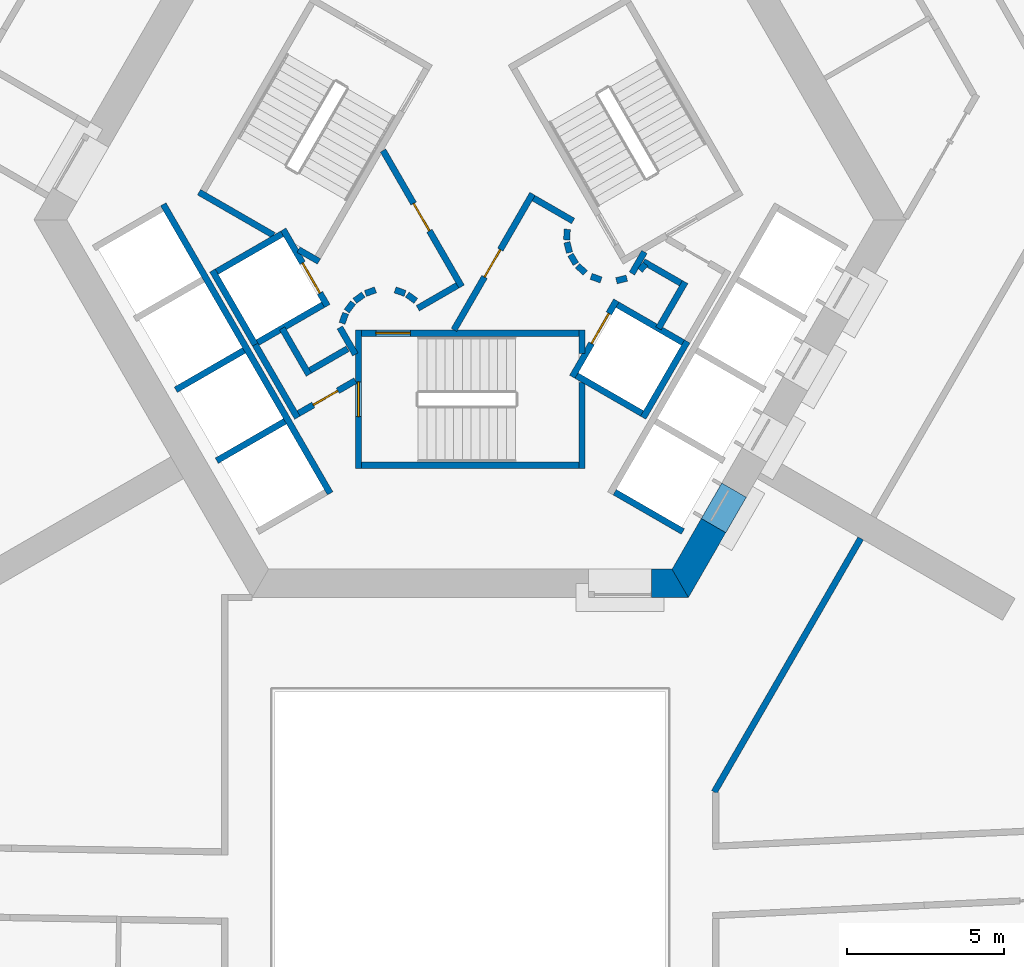
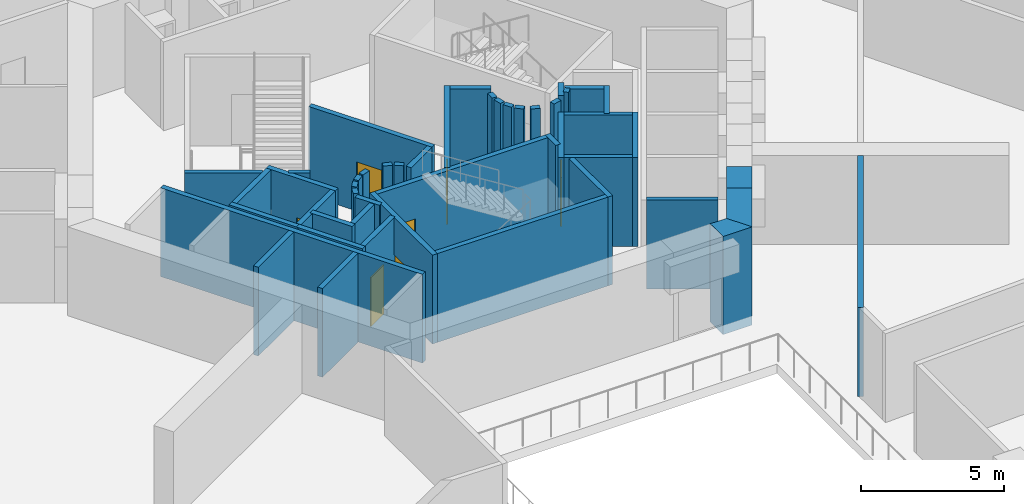
# One storey, part 6 of 15: 48 walls, 7 doors, 7 openings.
"""IFC4 building model written with IfcOpenShell, lengths in metres."""

from ifc_helpers import new_model, si_unit, direction, frame, frame_2d, origin, place, context, subcontext, project, spatial, polyline, rectangle, outline, extrude, material, layer, layer_set, type_object, element, fill, save


model = new_model("IFC4")

# Units and contexts
model_context = context("Model", 3, precision=1e-05, world=origin(), true_north=direction((0.0, 1.0)))
body_context = subcontext(model_context, "Body", "Model", "MODEL_VIEW")
ifc_project = project(units=[si_unit("LENGTHUNIT", "METRE"), si_unit("AREAUNIT", "SQUARE_METRE"), si_unit("VOLUMEUNIT", "CUBIC_METRE"), si_unit("PLANEANGLEUNIT", "RADIAN"), si_unit("MASSUNIT", "GRAM", prefix="KILO")], contexts=[model_context])

# Site, building, storey
site_placement = place(None, origin())
site = spatial("IfcSite", under=ifc_project, at=site_placement, CompositionType="ELEMENT")
building_placement = place(site_placement, origin())
building = spatial("IfcBuilding", under=site, at=building_placement, Name="Entoto Arch Interchange Tower", CompositionType="ELEMENT")
storey_placement = place(building_placement, frame((0.0, 0.0, 111.800048828125)))
storey = spatial("IfcBuildingStorey", under=building, at=storey_placement, Name="L24", CompositionType="ELEMENT", Elevation=111.800048828125)

# Walls
ifc_material_1 = material(Name="Concrete C60/75", Category="concrete")
ifc_layer_1 = layer(ifc_material_1, 0.89990234375)
ifc_layer_set_1 = layer_set([ifc_layer_1], Name="Concrete C60/75")
wall_type_1 = type_object("IfcWallType", Name="Core wall 900 C60/75", PredefinedType="SHEAR", material=ifc_layer_set_1)
wall_1_placement = place(storey_placement, frame((0.0, 0.0, -0.400146484375)))
element("IfcWall", 1, at=wall_1_placement, inside=storey, type_object=wall_type_1, Name="Core wall S L24", PredefinedType="SHEAR", context=body_context, shape_type="SweptSolid", body=[
    extrude(outline(polyline([(5.75, -8.60009765625), (5.75, -9.5), (6.927978515625, -9.5), (6.408935546875, -8.60009765625), (5.75, -8.60009765625)])), origin(), (0.0, 0.0, 1.0), 4.2001953125),
])
wall_2_placement = place(storey_placement, frame((0.0, 0.0, -0.400146484375)))
element("IfcWall", 2, at=wall_2_placement, inside=storey, type_object=wall_type_1, Name="Core wall SE L24", PredefinedType="SHEAR", context=body_context, shape_type="SweptSolid", body=[
    extrude(outline(polyline([(8.116943359375, -7.43994140625), (7.337890625, -6.989990234375), (6.408935546875, -8.60009765625), (6.927978515625, -9.5), (8.116943359375, -7.43994140625)])), origin(), (0.0, 0.0, 1.0), 4.2001953125),
])
wall_3_placement = place(storey_placement, frame((0.0, 0.0, 3.599853515625)))
element("IfcWall", 3, at=wall_3_placement, inside=storey, type_object=wall_type_1, Name="Core wall lintel SE L24", PredefinedType="SHEAR", context=body_context, shape_type="SweptSolid", body=[
    extrude(outline(polyline([(8.76708984375, -6.31396484375), (7.988037109375, -5.864013671875), (7.337890625, -6.989990234375), (8.116943359375, -7.43994140625), (8.76708984375, -6.31396484375)])), origin(), (0.0, 0.0, 1.0), 0.2001953125),
])

# Wall, opening, door
ifc_material_2 = material(Name="Concrete C40/50", Category="concrete")
ifc_layer_2 = layer(ifc_material_2, 0.199951171875)
ifc_layer_set_2 = layer_set([ifc_layer_2], Name="Concrete C40/50")
wall_type_2 = type_object("IfcWallType", Name="LIFT SHAFT WALL 200", PredefinedType="STANDARD", material=ifc_layer_set_2)
wall_4_placement = place(storey_placement, frame((-5.93994140625, 2.18798828125, 0.0), z_axis=(0.0, 0.0, 1.0), x_axis=(0.49994636267, -0.866056369097, 0.0)))
wall_4 = element("IfcWall", 4, at=wall_4_placement, inside=storey, type_object=wall_type_2, Name="Shaft wall SW1 front", PredefinedType="STANDARD", context=body_context, shape_type="SweptSolid", body=[
    extrude(rectangle(XDim=2.800048828125, YDim=0.199951171875, at=frame_2d((1.39990234375, 0.0))), origin(), (0.0, 0.0, 1.0), 3.800048828125),
])
opening_1_placement = place(wall_4_placement, frame((1.22509765625, 0.0, 0.0)))
opening_1 = element("IfcOpeningElement", 5, at=opening_1_placement, cuts=wall_4, Name="Opening LD-FF2-L24", PredefinedType="OPENING", context=body_context, shape_type="SweptSolid", body=[
    extrude(rectangle(XDim=1.10009765625, YDim=2.10009765625, at=frame_2d((0.550048828125, 1.050048828125))), frame((0.0, 0.10986328125, 0.0), z_axis=(0.0, -1.0, 0.0), x_axis=(1.0, 0.0, 0.0)), (0.0, 0.0, 1.0), 0.219970703125),
])
ifc_material_3 = material(Name="Stainless steel 1.4301 panels", Category="steel")
door_type_1 = type_object("IfcDoorType", Name="LIFT LANDING DOOR LD1 1100x2100", OperationType="SLIDING_TO_LEFT", PredefinedType="DOOR", material=ifc_material_3)
door_1_placement = place(opening_1_placement, origin())
door_1 = element("IfcDoor", 6, at=door_1_placement, inside=storey, type_object=door_type_1, Name="Lift landing door FF2 L24", OperationType="SLIDING_TO_LEFT", OverallHeight=2.10009765625, OverallWidth=1.10009765625, PredefinedType="DOOR", context=body_context, shape_type="SweptSolid", body=[
    extrude(rectangle(XDim=1.10009765625, YDim=2.10009765625, at=frame_2d((0.550048828125, 1.050048828125))), frame((0.0, 0.02490234375, 0.0), z_axis=(0.0, -1.0, 0.0), x_axis=(1.0, 0.0, 0.0)), (0.0, 0.0, 1.0), 0.050048828125),
])
fill(opening_1, door_1)

# Walls
wall_5_placement = place(storey_placement, frame((-8.19189453125, 0.887939453125, 0.0), z_axis=(0.0, 0.0, 1.0), x_axis=(0.49994636267, -0.866056369097, 0.0)))
element("IfcWall", 7, at=wall_5_placement, inside=storey, type_object=wall_type_2, Name="Shaft wall SW1 back", PredefinedType="STANDARD", context=body_context, shape_type="SweptSolid", body=[
    extrude(rectangle(XDim=2.800048828125, YDim=0.199951171875, at=frame_2d((1.39990234375, 0.0))), origin(), (0.0, 0.0, 1.0), 3.800048828125),
])
for number, where, z_axis, x_axis, name in (
    (8, (-5.97705078125, 2.052001953125, 0.0), (0.0, 0.0, 1.0), (-0.865973769406, -0.500089422704, 0.0), "Shaft wall SW1 cross 1"),
    (9, (-4.677001953125, -0.199951171875, 0.0), (0.0, 0.0, 1.0), (-0.865973769406, -0.500089422704, 0.0), "Shaft wall SW1 cross 2"),
):
    element("IfcWall", number, at=place(storey_placement, frame(where, z_axis=z_axis, x_axis=x_axis)), inside=storey, type_object=wall_type_2, Name=name, PredefinedType="STANDARD", context=body_context, shape_type="SweptSolid", body=[
        extrude(rectangle(XDim=2.3994140625, YDim=0.199951171875, at=frame_2d((1.19970703125, 0.0))), origin(), (0.0, 0.0, 1.0), 3.800048828125),
    ])
wall_6_placement = place(storey_placement, frame((-9.7509765625, 2.989990234375, 0.0), z_axis=(0.0, 0.0, 1.0), x_axis=(0.50000090737, -0.866024879913, 0.0)))
element("IfcWall", 10, at=wall_6_placement, inside=storey, type_object=wall_type_2, Name="Shaft wall SW3 front", PredefinedType="STANDARD", context=body_context, shape_type="SweptSolid", body=[
    extrude(rectangle(XDim=10.60009765625, YDim=0.199951171875, at=frame_2d((5.300048828125, 0.0))), origin(), (0.0, 0.0, 1.0), 3.800048828125),
])
for number, where, z_axis, x_axis, name in (
    (11, (-7.18798828125, -1.64990234375, 0.0), (0.0, 0.0, 1.0), (-0.866022959057, -0.500004234368, 0.0), "Shaft wall SW3 cross 3"),
    (12, (-5.887939453125, -3.902099609375, 0.0), (0.0, 0.0, 1.0), (-0.866022959057, -0.500004234368, 0.0), "Shaft wall SW3 cross 4"),
):
    element("IfcWall", number, at=place(storey_placement, frame(where, z_axis=z_axis, x_axis=x_axis)), inside=storey, type_object=wall_type_2, Name=name, PredefinedType="STANDARD", context=body_context, shape_type="SweptSolid", body=[
        extrude(rectangle(XDim=2.5, YDim=0.199951171875, at=frame_2d((1.25, 0.0))), origin(), (0.0, 0.0, 1.0), 3.800048828125),
    ])

# Wall, opening, door
wall_7_placement = place(storey_placement, frame((3.239990234375, -2.488037109375, 0.0), z_axis=(0.0, 0.0, 1.0), x_axis=(0.49994636267, 0.866056369097, 0.0)))
wall_7 = element("IfcWall", 13, at=wall_7_placement, inside=storey, type_object=wall_type_2, Name="Shaft wall SE1 front", PredefinedType="STANDARD", context=body_context, shape_type="SweptSolid", body=[
    extrude(rectangle(XDim=2.800048828125, YDim=0.199951171875, at=frame_2d((1.39990234375, 0.0))), origin(), (0.0, 0.0, 1.0), 3.800048828125),
])
opening_2_placement = place(wall_7_placement, frame((1.22509765625, 0.0, 0.0)))
opening_2 = element("IfcOpeningElement", 14, at=opening_2_placement, cuts=wall_7, Name="Opening LD-FF1-L24", PredefinedType="OPENING", context=body_context, shape_type="SweptSolid", body=[
    extrude(rectangle(XDim=1.10009765625, YDim=2.10009765625, at=frame_2d((0.550048828125, 1.050048828125))), frame((0.0, 0.10986328125, 0.0), z_axis=(0.0, -1.0, 0.0), x_axis=(1.0, 0.0, 0.0)), (0.0, 0.0, 1.0), 0.219970703125),
])
door_2_placement = place(opening_2_placement, origin())
door_2 = element("IfcDoor", 15, at=door_2_placement, inside=storey, type_object=door_type_1, Name="Lift landing door FF1 L24", OperationType="SLIDING_TO_LEFT", OverallHeight=2.10009765625, OverallWidth=1.10009765625, PredefinedType="DOOR", context=body_context, shape_type="SweptSolid", body=[
    extrude(rectangle(XDim=1.10009765625, YDim=2.10009765625, at=frame_2d((0.550048828125, 1.050048828125))), frame((0.0, 0.02490234375, 0.0), z_axis=(0.0, -1.0, 0.0), x_axis=(1.0, 0.0, 0.0)), (0.0, 0.0, 1.0), 0.050048828125),
])
fill(opening_2, door_2)

# Walls
wall_8_placement = place(storey_placement, frame((5.491943359375, -3.7880859375, 0.0), z_axis=(0.0, 0.0, 1.0), x_axis=(0.500011755427, 0.866018616679, 0.0)))
element("IfcWall", 16, at=wall_8_placement, inside=storey, type_object=wall_type_2, Name="Shaft wall SE1 back", PredefinedType="STANDARD", context=body_context, shape_type="SweptSolid", body=[
    extrude(rectangle(XDim=2.80029296875, YDim=0.199951171875, at=frame_2d((1.400146484375, 0.0))), origin(), (0.0, 0.0, 1.0), 3.800048828125),
])
wall_9_placement = place(storey_placement, frame((3.376953125, -2.451904296875, 0.0), z_axis=(0.0, 0.0, 1.0), x_axis=(0.865955154139, -0.50012165622, 0.0)))
element("IfcWall", 17, at=wall_9_placement, inside=storey, type_object=wall_type_2, Name="Shaft wall SE1 cross 1", PredefinedType="STANDARD", context=body_context, shape_type="SweptSolid", body=[
    extrude(rectangle(XDim=2.39990234375, YDim=0.199951171875, at=frame_2d((1.199951171875, 0.0))), origin(), (0.0, 0.0, 1.0), 3.800048828125),
])
wall_10_placement = place(storey_placement, frame((4.677001953125, -0.199951171875, 0.0), z_axis=(0.0, 0.0, 1.0), x_axis=(0.865973769406, -0.500089422704, 0.0)))
element("IfcWall", 18, at=wall_10_placement, inside=storey, type_object=wall_type_2, Name="Shaft wall SE1 cross 2", PredefinedType="STANDARD", context=body_context, shape_type="SweptSolid", body=[
    extrude(rectangle(XDim=2.3994140625, YDim=0.199951171875, at=frame_2d((1.19970703125, 0.0))), origin(), (0.0, 0.0, 1.0), 3.800048828125),
])
wall_11_placement = place(storey_placement, frame((4.587890625, -6.153076171875, 0.0), z_axis=(0.0, 0.0, 1.0), x_axis=(0.866022959057, -0.500004234368, 0.0)))
element("IfcWall", 19, at=wall_11_placement, inside=storey, type_object=wall_type_2, Name="Shaft wall SE3 cross 1", PredefinedType="STANDARD", context=body_context, shape_type="SweptSolid", body=[
    extrude(rectangle(XDim=2.5, YDim=0.199951171875, at=frame_2d((1.25, 0.0))), origin(), (0.0, 0.0, 1.0), 3.800048828125),
])
ifc_material_4 = material(Name="Gypsum board partition on steel studs", Category="steel")
ifc_layer_3 = layer(ifc_material_4, 0.199951171875)
ifc_layer_set_3 = layer_set([ifc_layer_3], Name="Gypsum board partition on steel studs")
wall_type_3 = type_object("IfcWallType", Name="PARTITION 200", PredefinedType="PARTITIONING", material=ifc_layer_set_3)
wall_12_placement = place(storey_placement, frame((5.389892578125, 0.89794921875, 0.0), z_axis=(0.0, 0.0, 1.0), x_axis=(0.673828488714, 0.738887791073, 0.0)))
element("IfcWall", 20, at=wall_12_placement, inside=storey, type_object=wall_type_3, Name="wall:L24:p078", PredefinedType="PARTITIONING", context=body_context, shape_type="SweptSolid", body=[
    extrude(rectangle(XDim=0.2626953125, YDim=0.199951171875, at=frame_2d((0.13134765625, 0.0))), origin(), (0.0, 0.0, 1.0), 3.800048828125),
])
wall_13_placement = place(storey_placement, frame((5.4990234375, 1.172119140625, 0.0), z_axis=(0.0, 0.0, 1.0), x_axis=(0.866333505267, -0.499465972466, 0.0)))
element("IfcWall", 21, at=wall_13_placement, inside=storey, type_object=wall_type_3, Name="wall:L24:p079", PredefinedType="PARTITIONING", context=body_context, shape_type="SweptSolid", body=[
    extrude(rectangle(XDim=1.37353515625, YDim=0.199951171875, at=frame_2d((0.686767578125, 0.0))), origin(), (0.0, 0.0, 1.0), 3.800048828125),
])
wall_14_placement = place(storey_placement, frame((6.825927734375, 0.52197265625, 0.0), z_axis=(0.0, 0.0, 1.0), x_axis=(-0.500016722714, -0.866015748706, 0.0)))
element("IfcWall", 22, at=wall_14_placement, inside=storey, type_object=wall_type_3, Name="wall:L24:p080", PredefinedType="PARTITIONING", context=body_context, shape_type="SweptSolid", body=[
    extrude(rectangle(XDim=1.69970703125, YDim=0.199951171875, at=frame_2d((0.849853515625, 0.0))), origin(), (0.0, 0.0, 1.0), 3.800048828125),
])
wall_15_placement = place(storey_placement, frame((5.135009765625, 0.79296875, 0.0), z_axis=(0.0, 0.0, 1.0), x_axis=(0.499526442893, 0.866298639529, 0.0)))
element("IfcWall", 23, at=wall_15_placement, inside=storey, type_object=wall_type_3, Name="wall:L24:p083", PredefinedType="PARTITIONING", context=body_context, shape_type="SweptSolid", body=[
    extrude(rectangle(XDim=0.790771484375, YDim=0.199951171875, at=frame_2d((0.3955078125, 0.0))), origin(), (0.0, 0.0, 1.0), 3.800048828125),
])
wall_16_placement = place(storey_placement, frame((-3.89990234375, -1.59912109375, 0.0), z_axis=(0.0, 0.0, 1.0), x_axis=(-0.865969445389, -0.500096910261, 0.0)))
element("IfcWall", 24, at=wall_16_placement, inside=storey, type_object=wall_type_3, Name="wall:L24:p084", PredefinedType="PARTITIONING", context=body_context, shape_type="SweptSolid", body=[
    extrude(rectangle(XDim=1.373291015625, YDim=0.199951171875, at=frame_2d((0.6865234375, 0.0))), origin(), (0.0, 0.0, 1.0), 3.800048828125),
])
wall_17_placement = place(storey_placement, frame((-5.1259765625, -2.422119140625, 0.0), z_axis=(0.0, 0.0, 1.0), x_axis=(-0.500062241894, 0.865989465428, 0.0)))
element("IfcWall", 25, at=wall_17_placement, inside=storey, type_object=wall_type_3, Name="wall:L24:p085", PredefinedType="PARTITIONING", context=body_context, shape_type="SweptSolid", body=[
    extrude(rectangle(XDim=1.699951171875, YDim=0.199951171875, at=frame_2d((0.85009765625, 0.0))), origin(), (0.0, 0.0, 1.0), 3.800048828125),
])

# Wall, opening, door
wall_18_placement = place(storey_placement, frame((-3.64990234375, -2.610107421875, 0.0), z_axis=(0.0, 0.0, 1.0), x_axis=(-0.866072462134, -0.499918483688, 0.0)))
wall_18 = element("IfcWall", 26, at=wall_18_placement, inside=storey, type_object=wall_type_3, Name="wall:L24:p086", PredefinedType="PARTITIONING", context=body_context, shape_type="SweptSolid", body=[
    extrude(rectangle(XDim=2.084228515625, YDim=0.199951171875, at=frame_2d((1.0419921875, 0.0))), origin(), (0.0, 0.0, 1.0), 3.800048828125),
])
opening_3_placement = place(wall_18_placement, frame((0.64208984375, 0.0, 0.0)))
opening_3 = element("IfcOpeningElement", 27, at=opening_3_placement, cuts=wall_18, Name="Opening L24-D31", PredefinedType="OPENING", context=body_context, shape_type="SweptSolid", body=[
    extrude(rectangle(XDim=0.89990234375, YDim=2.10009765625, at=frame_2d((0.449951171875, 1.050048828125))), frame((0.0, 0.10986328125, 0.0), z_axis=(0.0, -1.0, 0.0), x_axis=(1.0, 0.0, 0.0)), (0.0, 0.0, 1.0), 0.219970703125),
])
ifc_material_5 = material(Name="Timber door leaf in Steel S235 frame", Category="steel")
door_type_2 = type_object("IfcDoorType", Name="DOOR DS-09 900x2100", OperationType="SINGLE_SWING_LEFT", PredefinedType="DOOR", material=ifc_material_5)
door_3_placement = place(opening_3_placement, origin())
door_3 = element("IfcDoor", 28, at=door_3_placement, inside=storey, type_object=door_type_2, Name="door:L24:31", OperationType="SINGLE_SWING_LEFT", OverallHeight=2.10009765625, OverallWidth=0.89990234375, PredefinedType="DOOR", context=body_context, shape_type="SweptSolid", body=[
    extrude(rectangle(XDim=0.89990234375, YDim=2.10009765625, at=frame_2d((0.449951171875, 1.050048828125))), frame((0.0, 0.02490234375, 0.0), z_axis=(0.0, -1.0, 0.0), x_axis=(1.0, 0.0, 0.0)), (0.0, 0.0, 1.0), 0.050048828125),
])
fill(opening_3, door_3)

# Walls
wall_19_placement = place(storey_placement, frame((-5.491943359375, -3.7880859375, 0.0), z_axis=(0.0, 0.0, 1.0), x_axis=(-0.500008949224, 0.866020236886, 0.0)))
element("IfcWall", 29, at=wall_19_placement, inside=storey, type_object=wall_type_3, Name="wall:L24:p087", PredefinedType="PARTITIONING", context=body_context, shape_type="SweptSolid", body=[
    extrude(rectangle(XDim=2.68017578125, YDim=0.199951171875, at=frame_2d((1.340087890625, 0.0))), origin(), (0.0, 0.0, 1.0), 3.800048828125),
])
wall_20_placement = place(storey_placement, frame((-4.14501953125, -0.919921875, 0.0), z_axis=(0.0, 0.0, 1.0), x_axis=(0.499743786207, -0.866173278362, 0.0)))
element("IfcWall", 30, at=wall_20_placement, inside=storey, type_object=wall_type_3, Name="wall:L24:p088", PredefinedType="PARTITIONING", context=body_context, shape_type="SweptSolid", body=[
    extrude(rectangle(XDim=0.99072265625, YDim=0.199951171875, at=frame_2d((0.495361328125, 0.0))), origin(), (0.0, 0.0, 1.0), 3.800048828125),
])

# Wall, opening, door
wall_21_placement = place(storey_placement, frame((-0.52001953125, -1.0, 0.0), z_axis=(0.0, 0.0, 1.0), x_axis=(0.50011622646, 0.865958290007, 0.0)))
wall_21 = element("IfcWall", 31, at=wall_21_placement, inside=storey, type_object=wall_type_3, Name="wall:L24:p093", PredefinedType="PARTITIONING", context=body_context, shape_type="SweptSolid", body=[
    extrude(rectangle(XDim=4.990966796875, YDim=0.199951171875, at=frame_2d((2.49560546875, 0.0))), origin(), (0.0, 0.0, 1.0), 3.800048828125),
])
opening_4_placement = place(wall_21_placement, frame((1.945068359375, 0.0, 0.0)))
opening_4 = element("IfcOpeningElement", 32, at=opening_4_placement, cuts=wall_21, Name="Opening L24-D28", PredefinedType="OPENING", context=body_context, shape_type="SweptSolid", body=[
    extrude(rectangle(XDim=1.0, YDim=2.10009765625, at=frame_2d((0.5, 1.050048828125))), frame((0.0, 0.10986328125, 0.0), z_axis=(0.0, -1.0, 0.0), x_axis=(1.0, 0.0, 0.0)), (0.0, 0.0, 1.0), 0.219970703125),
])
ifc_material_6 = material(Name="Fire-rated Steel S235 door and frame", Category="steel")
door_type_3 = type_object("IfcDoorType", Name="DOOR FD-10 1000x2100", OperationType="SINGLE_SWING_LEFT", PredefinedType="DOOR", material=ifc_material_6)
door_4_placement = place(opening_4_placement, origin())
door_4 = element("IfcDoor", 33, at=door_4_placement, inside=storey, type_object=door_type_3, Name="door:L24:28", OperationType="SINGLE_SWING_LEFT", OverallHeight=2.10009765625, OverallWidth=1.0, PredefinedType="DOOR", context=body_context, shape_type="SweptSolid", body=[
    extrude(rectangle(XDim=1.0, YDim=2.10009765625, at=frame_2d((0.5, 1.050048828125))), frame((0.0, 0.02490234375, 0.0), z_axis=(0.0, -1.0, 0.0), x_axis=(1.0, 0.0, 0.0)), (0.0, 0.0, 1.0), 0.050048828125),
])
fill(opening_4, door_4)

# Walls
wall_22_placement = place(storey_placement, frame((2.011962890625, 3.18603515625, 0.0), z_axis=(0.0, 0.0, 1.0), x_axis=(0.865891012941, -0.500232699559, 0.0)))
element("IfcWall", 34, at=wall_22_placement, inside=storey, type_object=wall_type_3, Name="wall:L24:p094", PredefinedType="PARTITIONING", context=body_context, shape_type="SweptSolid", body=[
    extrude(rectangle(XDim=1.449462890625, YDim=0.199951171875, at=frame_2d((0.724609375, 0.0))), origin(), (0.0, 0.0, 1.0), 3.800048828125),
])
wall_23_placement = place(storey_placement, frame((3.0791015625, 2.198974609375, 0.0), z_axis=(0.0, 0.0, 1.0), x_axis=(-0.047771483479, -0.998858290933, 0.0)))
element("IfcWall", 35, at=wall_23_placement, inside=storey, type_object=wall_type_3, Name="wall:L24:p095", PredefinedType="PARTITIONING", context=body_context, shape_type="SweptSolid", body=[
    extrude(rectangle(XDim=0.33740234375, YDim=0.199951171875, at=frame_2d((0.168701171875, 0.0))), origin(), (0.0, 0.0, 1.0), 3.800048828125),
])
wall_24_placement = place(storey_placement, frame((3.070068359375, 1.785888671875, 0.0), z_axis=(0.0, 0.0, 1.0), x_axis=(0.242705583207, -0.970099994784, 0.0)))
element("IfcWall", 36, at=wall_24_placement, inside=storey, type_object=wall_type_3, Name="wall:L24:p096", PredefinedType="PARTITIONING", context=body_context, shape_type="SweptSolid", body=[
    extrude(rectangle(XDim=0.337890625, YDim=0.199951171875, at=frame_2d((0.1689453125, 0.0))), origin(), (0.0, 0.0, 1.0), 3.800048828125),
])
for number, where, z_axis, x_axis, name in (
    (37, (3.181884765625, 1.387939453125, 0.0), (0.0, 0.0, 1.0), (0.512474702713, -0.85870232274, 0.0), "wall:L24:p097"),
    (38, (3.404052734375, 1.0390625, 0.0), (0.0, 0.0, 1.0), (0.740267097712, -0.672312891476, 0.0), "wall:L24:p098"),
):
    element("IfcWall", number, at=place(storey_placement, frame(where, z_axis=z_axis, x_axis=x_axis)), inside=storey, type_object=wall_type_3, Name=name, PredefinedType="PARTITIONING", context=body_context, shape_type="SweptSolid", body=[
        extrude(rectangle(XDim=0.337646484375, YDim=0.199951171875, at=frame_2d((0.1689453125, 0.0))), origin(), (0.0, 0.0, 1.0), 3.800048828125),
    ])
wall_25_placement = place(storey_placement, frame((3.837890625, 0.701904296875, 0.0), z_axis=(0.0, 0.0, 1.0), x_axis=(0.941035081519, -0.338308993895, 0.0)))
element("IfcWall", 39, at=wall_25_placement, inside=storey, type_object=wall_type_3, Name="wall:L24:p099", PredefinedType="PARTITIONING", context=body_context, shape_type="SweptSolid", body=[
    extrude(rectangle(XDim=0.3369140625, YDim=0.199951171875, at=frame_2d((0.16845703125, 0.0))), origin(), (0.0, 0.0, 1.0), 3.800048828125),
])
wall_26_placement = place(storey_placement, frame((4.64404296875, 0.56396484375, 0.0), z_axis=(0.0, 0.0, 1.0), x_axis=(0.969929076366, 0.243387729394, 0.0)))
element("IfcWall", 40, at=wall_26_placement, inside=storey, type_object=wall_type_3, Name="wall:L24:p100", PredefinedType="PARTITIONING", context=body_context, shape_type="SweptSolid", body=[
    extrude(rectangle(XDim=0.337158203125, YDim=0.199951171875, at=frame_2d((0.16845703125, 0.0))), origin(), (0.0, 0.0, 1.0), 3.800048828125),
])

# Wall, opening, door
wall_27_placement = place(storey_placement, frame((-2.77099609375, 4.699951171875, 0.0), z_axis=(0.0, 0.0, 1.0), x_axis=(0.499969479948, -0.866043023828, 0.0)))
wall_27 = element("IfcWall", 41, at=wall_27_placement, inside=storey, type_object=wall_type_3, Name="wall:L24:p101", PredefinedType="PARTITIONING", context=body_context, shape_type="SweptSolid", body=[
    extrude(rectangle(XDim=4.990478515625, YDim=0.199951171875, at=frame_2d((2.4951171875, 0.0))), origin(), (0.0, 0.0, 1.0), 3.800048828125),
])
opening_5_placement = place(wall_27_placement, frame((1.945068359375, 0.0, 0.0)))
opening_5 = element("IfcOpeningElement", 42, at=opening_5_placement, cuts=wall_27, Name="Opening L24-D29", PredefinedType="OPENING", context=body_context, shape_type="SweptSolid", body=[
    extrude(rectangle(XDim=1.0, YDim=2.10009765625, at=frame_2d((0.5, 1.050048828125))), frame((0.0, 0.10986328125, 0.0), z_axis=(0.0, -1.0, 0.0), x_axis=(1.0, 0.0, 0.0)), (0.0, 0.0, 1.0), 0.219970703125),
])
door_5_placement = place(opening_5_placement, origin())
door_5 = element("IfcDoor", 43, at=door_5_placement, inside=storey, type_object=door_type_3, Name="door:L24:29", OperationType="SINGLE_SWING_RIGHT", OverallHeight=2.10009765625, OverallWidth=1.0, PredefinedType="DOOR", context=body_context, shape_type="SweptSolid", body=[
    extrude(rectangle(XDim=1.0, YDim=2.10009765625, at=frame_2d((0.5, 1.050048828125))), frame((0.0, 0.02490234375, 0.0), z_axis=(0.0, -1.0, 0.0), x_axis=(1.0, 0.0, 0.0)), (0.0, 0.0, 1.0), 0.050048828125),
])
fill(opening_5, door_5)

# Walls
wall_28_placement = place(storey_placement, frame((-0.412109375, 0.4140625, 0.0), z_axis=(0.0, 0.0, 1.0), x_axis=(-0.866017369001, -0.500013916395, 0.0)))
element("IfcWall", 44, at=wall_28_placement, inside=storey, type_object=wall_type_3, Name="wall:L24:p102", PredefinedType="PARTITIONING", context=body_context, shape_type="SweptSolid", body=[
    extrude(rectangle(XDim=1.4501953125, YDim=0.199951171875, at=frame_2d((0.72509765625, 0.0))), origin(), (0.0, 0.0, 1.0), 3.800048828125),
])
wall_29_placement = place(storey_placement, frame((-1.73095703125, -0.076904296875, 0.0), z_axis=(0.0, 0.0, 1.0), x_axis=(-0.804311165252, 0.594208338422, 0.0)))
element("IfcWall", 45, at=wall_29_placement, inside=storey, type_object=wall_type_3, Name="wall:L24:p103", PredefinedType="PARTITIONING", context=body_context, shape_type="SweptSolid", body=[
    extrude(rectangle(XDim=0.338134765625, YDim=0.199951171875, at=frame_2d((0.1689453125, 0.0))), origin(), (0.0, 0.0, 1.0), 3.800048828125),
])
wall_30_placement = place(storey_placement, frame((-2.070068359375, 0.159912109375, 0.0), z_axis=(0.0, 0.0, 1.0), x_axis=(-0.942199461132, 0.335052496547, 0.0)))
element("IfcWall", 46, at=wall_30_placement, inside=storey, type_object=wall_type_3, Name="wall:L24:p104", PredefinedType="PARTITIONING", context=body_context, shape_type="SweptSolid", body=[
    extrude(rectangle(XDim=0.33740234375, YDim=0.199951171875, at=frame_2d((0.168701171875, 0.0))), origin(), (0.0, 0.0, 1.0), 3.800048828125),
])
wall_31_placement = place(storey_placement, frame((-3.011962890625, 0.27294921875, 0.0), z_axis=(0.0, 0.0, 1.0), x_axis=(-0.942280615813, -0.334824194261, 0.0)))
element("IfcWall", 47, at=wall_31_placement, inside=storey, type_object=wall_type_3, Name="wall:L24:p105", PredefinedType="PARTITIONING", context=body_context, shape_type="SweptSolid", body=[
    extrude(rectangle(XDim=0.337646484375, YDim=0.199951171875, at=frame_2d((0.1689453125, 0.0))), origin(), (0.0, 0.0, 1.0), 3.800048828125),
])
wall_32_placement = place(storey_placement, frame((-3.39697265625, 0.1240234375, 0.0), z_axis=(0.0, 0.0, 1.0), x_axis=(-0.804311165252, -0.594208338422, 0.0)))
element("IfcWall", 48, at=wall_32_placement, inside=storey, type_object=wall_type_3, Name="wall:L24:p106", PredefinedType="PARTITIONING", context=body_context, shape_type="SweptSolid", body=[
    extrude(rectangle(XDim=0.338134765625, YDim=0.199951171875, at=frame_2d((0.1689453125, 0.0))), origin(), (0.0, 0.0, 1.0), 3.800048828125),
])
wall_33_placement = place(storey_placement, frame((-3.722900390625, -0.131103515625, 0.0), z_axis=(0.0, 0.0, 1.0), x_axis=(-0.594675113454, -0.803966112121, 0.0)))
element("IfcWall", 49, at=wall_33_placement, inside=storey, type_object=wall_type_3, Name="wall:L24:p107", PredefinedType="PARTITIONING", context=body_context, shape_type="SweptSolid", body=[
    extrude(rectangle(XDim=0.33837890625, YDim=0.199951171875, at=frame_2d((0.169189453125, 0.0))), origin(), (0.0, 0.0, 1.0), 3.800048828125),
])
wall_34_placement = place(storey_placement, frame((-3.9599609375, -0.469970703125, 0.0), z_axis=(0.0, 0.0, 1.0), x_axis=(-0.334824194261, -0.942280615813, 0.0)))
element("IfcWall", 50, at=wall_34_placement, inside=storey, type_object=wall_type_3, Name="wall:L24:p108", PredefinedType="PARTITIONING", context=body_context, shape_type="SweptSolid", body=[
    extrude(rectangle(XDim=0.337646484375, YDim=0.199951171875, at=frame_2d((0.1689453125, 0.0))), origin(), (0.0, 0.0, 1.0), 3.800048828125),
])
wall_35_placement = place(storey_placement, frame((12.40087890625, -7.62109375, 0.0), z_axis=(0.0, 0.0, 1.0), x_axis=(-0.499983724212, -0.866034800411, 0.0)))
element("IfcWall", 51, at=wall_35_placement, inside=storey, type_object=wall_type_3, Name="wall:L24:p116", PredefinedType="PARTITIONING", context=body_context, shape_type="SweptSolid", body=[
    extrude(rectangle(XDim=9.302001953125, YDim=0.199951171875, at=frame_2d((4.65087890625, 0.0))), origin(), (0.0, 0.0, 1.0), 3.800048828125),
])

# Wall, opening, door
ifc_layer_4 = layer(ifc_material_2, 0.199951171875)
ifc_layer_set_4 = layer_set([ifc_layer_4], Name="Concrete C40/50")
wall_type_4 = type_object("IfcWallType", Name="STAIR ENCLOSURE WALL 200", PredefinedType="STANDARD", material=ifc_layer_set_4)
wall_36_placement = place(storey_placement, frame((-3.550048828125, -1.0, 0.0), z_axis=(0.0, 0.0, 1.0), x_axis=(0.0, -1.0, 0.0)))
wall_36 = element("IfcWall", 52, at=wall_36_placement, inside=storey, type_object=wall_type_4, Name="Stair wall ST-S near", PredefinedType="STANDARD", context=body_context, shape_type="SweptSolid", body=[
    extrude(rectangle(XDim=4.39990234375, YDim=0.199951171875, at=frame_2d((2.199951171875, 0.0))), origin(), (0.0, 0.0, 1.0), 3.800048828125),
])
opening_6_placement = place(wall_36_placement, frame((1.64990234375, 0.0, 0.0)))
opening_6 = element("IfcOpeningElement", 53, at=opening_6_placement, cuts=wall_36, Name="Opening SD-ST-S-L24-E", PredefinedType="OPENING", context=body_context, shape_type="SweptSolid", body=[
    extrude(rectangle(XDim=1.10009765625, YDim=2.199951171875, at=frame_2d((0.550048828125, 1.10009765625))), frame((0.0, 0.10986328125, 0.0), z_axis=(0.0, -1.0, 0.0), x_axis=(1.0, 0.0, 0.0)), (0.0, 0.0, 1.0), 0.219970703125),
])
ifc_material_7 = material(Name="Steel S235", Category="steel")
door_type_4 = type_object("IfcDoorType", Name="STAIR DOOR SD1 1100x2200", OperationType="SINGLE_SWING_LEFT", PredefinedType="DOOR", material=ifc_material_7)
door_6_placement = place(opening_6_placement, origin())
door_6 = element("IfcDoor", 54, at=door_6_placement, inside=storey, type_object=door_type_4, Name="Stair door ST-S L24 end", OperationType="SINGLE_SWING_LEFT", OverallHeight=2.199951171875, OverallWidth=1.10009765625, PredefinedType="DOOR", context=body_context, shape_type="SweptSolid", body=[
    extrude(rectangle(XDim=1.10009765625, YDim=2.199951171875, at=frame_2d((0.550048828125, 1.10009765625))), frame((0.0, 0.02490234375, 0.0), z_axis=(0.0, -1.0, 0.0), x_axis=(1.0, 0.0, 0.0)), (0.0, 0.0, 1.0), 0.050048828125),
])
fill(opening_6, door_6)

# Walls
wall_37_placement = place(storey_placement, frame((3.550048828125, -2.6669921875, 0.0), z_axis=(0.0, 0.0, 1.0), x_axis=(0.0, -1.0, 0.0)))
element("IfcWall", 55, at=wall_37_placement, inside=storey, type_object=wall_type_4, Name="Stair wall ST-S far", PredefinedType="STANDARD", context=body_context, shape_type="SweptSolid", body=[
    extrude(rectangle(XDim=2.73291015625, YDim=0.199951171875, at=frame_2d((1.366455078125, 0.0))), origin(), (0.0, 0.0, 1.0), 3.800048828125),
])
wall_38_placement = place(storey_placement, frame((3.550048828125, -1.0, 0.0), z_axis=(0.0, 0.0, 1.0), x_axis=(0.0, -1.0, 0.0)))
element("IfcWall", 56, at=wall_38_placement, inside=storey, type_object=wall_type_4, Name="Stair wall ST-S far return", PredefinedType="STANDARD", context=body_context, shape_type="SweptSolid", body=[
    extrude(rectangle(XDim=0.7509765625, YDim=0.199951171875, at=frame_2d((0.37548828125, 0.0))), origin(), (0.0, 0.0, 1.0), 3.800048828125),
])

# Wall, opening, door
wall_39_placement = place(storey_placement, frame((-3.449951171875, -1.10009765625, 0.0), z_axis=(0.0, 0.0, 1.0), x_axis=(1.0, 0.0, 0.0)))
wall_39 = element("IfcWall", 57, at=wall_39_placement, inside=storey, type_object=wall_type_4, Name="Stair wall ST-S hall", PredefinedType="STANDARD", context=body_context, shape_type="SweptSolid", body=[
    extrude(rectangle(XDim=6.89990234375, YDim=0.199951171875, at=frame_2d((3.449951171875, 0.0))), origin(), (0.0, 0.0, 1.0), 3.800048828125),
])
opening_7_placement = place(wall_39_placement, frame((0.449951171875, 0.0, 0.0)))
opening_7 = element("IfcOpeningElement", 58, at=opening_7_placement, cuts=wall_39, Name="Opening SD-ST-S-L24", PredefinedType="OPENING", context=body_context, shape_type="SweptSolid", body=[
    extrude(rectangle(XDim=1.10009765625, YDim=2.199951171875, at=frame_2d((0.550048828125, 1.10009765625))), frame((0.0, 0.10986328125, 0.0), z_axis=(0.0, -1.0, 0.0), x_axis=(1.0, 0.0, 0.0)), (0.0, 0.0, 1.0), 0.219970703125),
])
door_7_placement = place(opening_7_placement, origin())
door_7 = element("IfcDoor", 59, at=door_7_placement, inside=storey, type_object=door_type_4, Name="Stair door ST-S L24", OperationType="SINGLE_SWING_LEFT", OverallHeight=2.199951171875, OverallWidth=1.10009765625, PredefinedType="DOOR", context=body_context, shape_type="SweptSolid", body=[
    extrude(rectangle(XDim=1.10009765625, YDim=2.199951171875, at=frame_2d((0.550048828125, 1.10009765625))), frame((0.0, 0.02490234375, 0.0), z_axis=(0.0, -1.0, 0.0), x_axis=(1.0, 0.0, 0.0)), (0.0, 0.0, 1.0), 0.050048828125),
])
fill(opening_7, door_7)

# Walls
wall_40_placement = place(storey_placement, frame((-3.449951171875, -5.300048828125, 0.0), z_axis=(0.0, 0.0, 1.0), x_axis=(1.0, 0.0, 0.0)))
element("IfcWall", 60, at=wall_40_placement, inside=storey, type_object=wall_type_4, Name="Stair wall ST-S back", PredefinedType="STANDARD", context=body_context, shape_type="SweptSolid", body=[
    extrude(rectangle(XDim=6.89990234375, YDim=0.199951171875, at=frame_2d((3.449951171875, 0.0))), origin(), (0.0, 0.0, 1.0), 3.800048828125),
])
wall_41_placement = place(storey_placement, frame((-6.25, 2.010009765625, 0.0), z_axis=(0.0, 0.0, 1.0), x_axis=(-0.86611865017, 0.499838457731, 0.0)))
element("IfcWall", 61, at=wall_41_placement, inside=storey, type_object=wall_type_4, Name="Stair wall ST-NW far", PredefinedType="STANDARD", context=body_context, shape_type="SweptSolid", body=[
    extrude(rectangle(XDim=2.73291015625, YDim=0.199951171875, at=frame_2d((1.366455078125, 0.0))), origin(), (0.0, 0.0, 1.0), 3.800048828125),
])
wall_42_placement = place(storey_placement, frame((-4.805908203125, 1.176025390625, 0.0), z_axis=(0.0, 0.0, 1.0), x_axis=(-0.866558586415, 0.499075361355, 0.0)))
element("IfcWall", 62, at=wall_42_placement, inside=storey, type_object=wall_type_4, Name="Stair wall ST-NW far return", PredefinedType="STANDARD", context=body_context, shape_type="SweptSolid", body=[
    extrude(rectangle(XDim=0.75146484375, YDim=0.199951171875, at=frame_2d((0.375732421875, 0.0))), origin(), (0.0, 0.0, 1.0), 3.800048828125),
])

save(model, "model.ifc")
